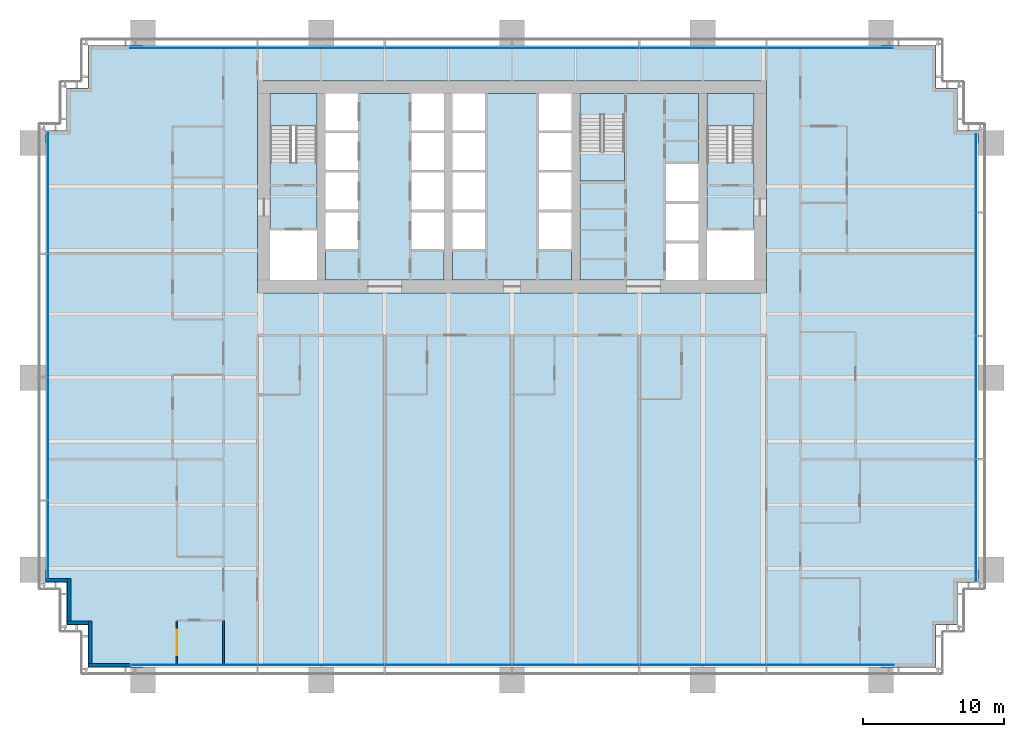
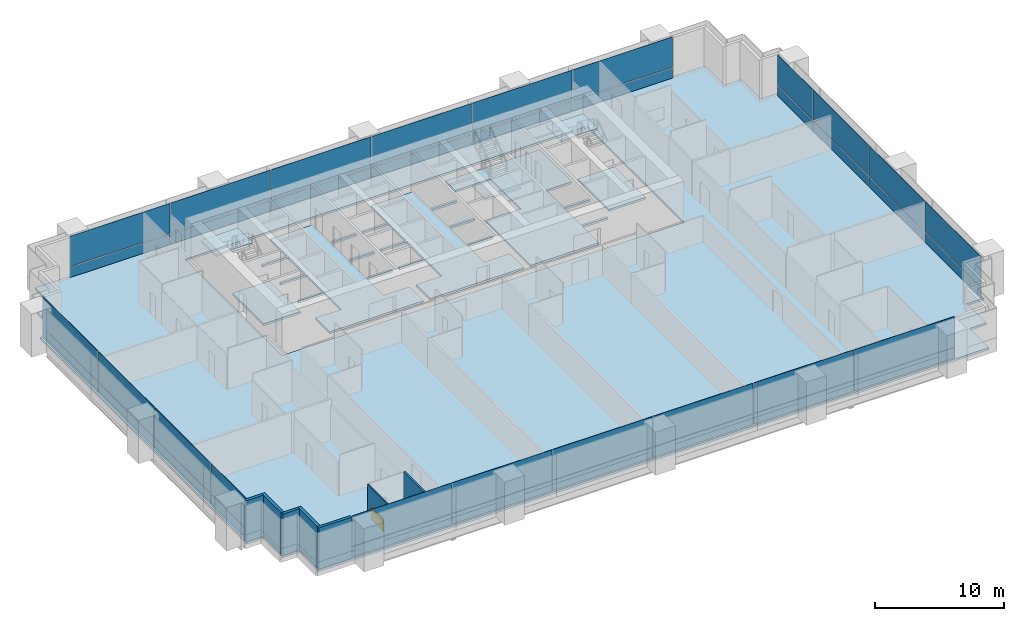
# One storey, part 10 of 19: 40 plates, 9 slabs, 7 walls, 1 window, 1 opening, 7 elements without a shape of their own.
"""IFC4 building model written with IfcOpenShell, lengths in metres."""

import ifcopenshell
import ifcopenshell.guid

model = None  # the IFC model being written
_history = None  # IfcOwnerHistory: only IFC2X3 demands one
_inside = {}  # id of a spatial element -> (the spatial element, [elements in it])
_under = {}  # id of a project, library or spatial element -> (it, [spatial elements below it])
_declared = {}  # id of a project -> (the project, [libraries it declares])
_typed = {}  # id of a type object -> (the type object, [elements of that type])
_made_of = {}  # id of a material, layer set ... -> (it, [elements and type objects made of it])


def new_model(schema):
    """Start an empty IFC model of exactly this schema.

    Asked for "IFC4X3", IfcOpenShell would pick the latest addendum, in which some entities
    have other attributes; the version numbers below select the first issue.
    IFC2X3 requires an IfcOwnerHistory on every rooted entity: one is made here for all.
    """
    global model, _history
    if schema == "IFC4X3":
        model = ifcopenshell.file(schema_version=(4, 3, 0, 0))
    else:
        model = ifcopenshell.file(schema=schema)
    _inside.clear()
    _under.clear()
    _declared.clear()
    _typed.clear()
    _made_of.clear()
    _history = None
    if model.schema == "IFC2X3":
        org = make("IfcOrganization", Name="unknown")
        user = make(
            "IfcPersonAndOrganization",
            ThePerson=make("IfcPerson", FamilyName="unknown"),
            TheOrganization=org,
        )
        app = make(
            "IfcApplication",
            ApplicationDeveloper=org,
            Version="unknown",
            ApplicationFullName="unknown",
            ApplicationIdentifier="unknown",
        )
        _history = make(
            "IfcOwnerHistory",
            OwningUser=user,
            OwningApplication=app,
            ChangeAction="ADDED",
            CreationDate=0,
        )
    return model


def make(cls, **values):
    """One entity of the class cls with the attributes given. An attribute that is None is left unset."""
    return model.create_entity(
        cls, **{name: value for name, value in values.items() if value is not None}
    )


def rooted(cls, **values):
    """An entity with a GlobalId (a new one), such as an element, a storey or a relation."""
    return make(cls, GlobalId=ifcopenshell.guid.new(), OwnerHistory=_history, **values)


def si_unit(unit_type, name, prefix=None):
    """IfcSIUnit, for example si_unit("LENGTHUNIT", "METRE", prefix="MILLI")."""
    return make("IfcSIUnit", UnitType=unit_type, Prefix=prefix, Name=name)


def assignment(units):
    """IfcUnitAssignment: the units of a project."""
    return None if units is None else make("IfcUnitAssignment", Units=units)


def point(xyz):
    """IfcCartesianPoint."""
    return None if xyz is None else make("IfcCartesianPoint", Coordinates=xyz)


def direction(xyz):
    """IfcDirection."""
    return None if xyz is None else make("IfcDirection", DirectionRatios=xyz)


def frame(location, z_axis=None, x_axis=None):
    """IfcAxis2Placement3D, a coordinate frame: its origin and axes. An axis left out is left unset."""
    return make(
        "IfcAxis2Placement3D",
        Location=point(location),
        Axis=direction(z_axis),
        RefDirection=direction(x_axis),
    )


def frame_2d(location, x_axis=None):
    """IfcAxis2Placement2D, a coordinate frame in the plane: its origin and x axis."""
    return make(
        "IfcAxis2Placement2D", Location=point(location), RefDirection=direction(x_axis)
    )


def origin():
    """The frame at (0, 0, 0) with its axes left unset."""
    return frame((0.0, 0.0, 0.0))


def origin_2d():
    """The frame at (0, 0) in the plane with its x axis left unset."""
    return frame_2d((0.0, 0.0))


def place(relative_to, where):
    """IfcLocalPlacement: puts the frame where relative to a parent placement (None: the world)."""
    return make(
        "IfcLocalPlacement", PlacementRelTo=relative_to, RelativePlacement=where
    )


def context(
    kind, dimensions, precision=None, world=None, true_north=None, identifier=None
):
    """IfcGeometricRepresentationContext, for example the 3D "Model" context."""
    return make(
        "IfcGeometricRepresentationContext",
        ContextIdentifier=identifier,
        ContextType=kind,
        CoordinateSpaceDimension=dimensions,
        Precision=precision,
        WorldCoordinateSystem=world,
        TrueNorth=true_north,
    )


def subcontext(parent, identifier, kind, view, scale=None):
    """IfcGeometricRepresentationSubContext, for example "Body" below "Model"."""
    return make(
        "IfcGeometricRepresentationSubContext",
        ContextIdentifier=identifier,
        ContextType=kind,
        ParentContext=parent,
        TargetScale=scale,
        TargetView=view,
    )


def project(units=None, contexts=None):
    """IfcProject with its units and contexts."""
    return rooted(
        "IfcProject",
        Name="project",
        RepresentationContexts=contexts,
        UnitsInContext=assignment(units),
    )


def spatial(cls, under=None, at=None, **own):
    """A site, building, storey or space (cls), placed at a placement, below another one or the project."""
    s = rooted(cls, ObjectPlacement=at, **own)
    if under is not None:
        _under.setdefault(under.id(), (under, []))[1].append(s)
    return s


def polyline(points):
    """IfcPolyline through the points."""
    return make("IfcPolyline", Points=[point(p) for p in points])


def profile(cls, at=None, kind="AREA", **sizes):
    """A parametric profile (cls). Its sizes go by their IFC names, for example OverallWidth=200.0."""
    return make(cls, ProfileType=kind, Position=at, **sizes)


def rectangle(**sizes):
    """IfcRectangleProfileDef."""
    return profile("IfcRectangleProfileDef", **sizes)


def outline(outer, holes=None, kind="AREA"):
    """IfcArbitraryClosedProfileDef: a profile drawn as a closed curve; with holes, ...WithVoids."""
    if holes is None:
        return make("IfcArbitraryClosedProfileDef", ProfileType=kind, OuterCurve=outer)
    return make(
        "IfcArbitraryProfileDefWithVoids",
        ProfileType=kind,
        OuterCurve=outer,
        InnerCurves=holes,
    )


def extrude(swept, where, along, depth):
    """IfcExtrudedAreaSolid: the profile swept, set in the frame where, extruded along a direction by depth."""
    return make(
        "IfcExtrudedAreaSolid",
        SweptArea=swept,
        Position=where,
        ExtrudedDirection=direction(along),
        Depth=depth,
    )


def shape(context_of_items, identifier, shape_type, items):
    """IfcShapeRepresentation: the items that make up one representation, for example the "Body"."""
    return make(
        "IfcShapeRepresentation",
        ContextOfItems=context_of_items,
        RepresentationIdentifier=identifier,
        RepresentationType=shape_type,
        Items=items,
    )


def material(Name=None, Category=None):
    """IfcMaterial."""
    return make("IfcMaterial", Name=Name, Category=Category)


def layer(
    of_material, thickness, ventilated=None, Name=None, Category=None, Priority=None
):
    """IfcMaterialLayer: one layer of a wall or slab, of a material (None: an air gap)."""
    return make(
        "IfcMaterialLayer",
        Material=of_material,
        LayerThickness=thickness,
        IsVentilated=ventilated,
        Name=Name,
        Category=Category,
        Priority=Priority,
    )


def layer_set(layers, Name=None):
    """IfcMaterialLayerSet."""
    return make("IfcMaterialLayerSet", MaterialLayers=layers, LayerSetName=Name)


def made_of(thing, what):
    """Note that an element or type object is made of a material, layer set ...; save() writes the relation."""
    if what is not None:
        _made_of.setdefault(what.id(), (what, []))[1].append(thing)
    return thing


def type_object(cls, material=None, **own):
    """A type object (cls), such as IfcWallType, which elements share."""
    return made_of(rooted(cls, **own), material)


def element(
    cls,
    number,
    at=None,
    inside=None,
    cuts=None,
    type_object=None,
    material=None,
    context=None,
    identifier="Body",
    shape_type=None,
    held_by="IfcProductDefinitionShape",
    body=None,
    shapes=None,
    **own,
):
    """One element of the class cls, such as IfcWall. Its Tag is "e" and its number.

    at: its placement. inside: the storey or other place that contains it. cuts: it is an
    opening in that element (IfcRelVoidsElement). A single representation is given by context,
    identifier, shape_type and body (its items); several are given by shapes. held_by: the class
    of the entity that holds the representations. save() writes the other relations.
    """
    e = rooted(cls, Tag="e%d" % number, ObjectPlacement=at, **own)
    if body is not None:
        shapes = [shape(context, identifier, shape_type, body)]
    if shapes is not None:
        e.Representation = make(held_by, Representations=shapes)
    if inside is not None:
        _inside.setdefault(inside.id(), (inside, []))[1].append(e)
    if cuts is not None:
        rooted(
            "IfcRelVoidsElement", RelatingBuildingElement=cuts, RelatedOpeningElement=e
        )
    if type_object is not None:
        _typed.setdefault(type_object.id(), (type_object, []))[1].append(e)
    return made_of(e, material)


def fill(opening, filler):
    """IfcRelFillsElement: the door or window that sits in an opening."""
    return rooted(
        "IfcRelFillsElement",
        RelatingOpeningElement=opening,
        RelatedBuildingElement=filler,
    )


def aggregate(whole, parts):
    """IfcRelAggregates: a whole, such as a stair, and the parts it consists of."""
    return rooted("IfcRelAggregates", RelatingObject=whole, RelatedObjects=parts)


def save(model, path):
    """Write the relations noted so far, then the file.

    IfcRelAggregates (storeys below a building ...), IfcRelContainedInSpatialStructure (elements
    in a storey), IfcRelDefinesByType, IfcRelAssociatesMaterial and IfcRelDeclares: one each for
    every whole, place, type object, material and project.
    """
    for whole, parts in _under.values():
        aggregate(whole, parts)
    for where, things in _inside.values():
        rooted(
            "IfcRelContainedInSpatialStructure",
            RelatedElements=things,
            RelatingStructure=where,
        )
    for kind, things in _typed.values():
        rooted("IfcRelDefinesByType", RelatedObjects=things, RelatingType=kind)
    for what, things in _made_of.values():
        rooted("IfcRelAssociatesMaterial", RelatedObjects=things, RelatingMaterial=what)
    for by, libraries in _declared.values():
        rooted("IfcRelDeclares", RelatingContext=by, RelatedDefinitions=libraries)
    model.write(path)


model = new_model("IFC4")

# Units and contexts
model_context = context("Model", 3, precision=1e-05, world=origin(), true_north=direction((0.0, 1.0)))
body_context = subcontext(model_context, "Body", "Model", "MODEL_VIEW")
ifc_project = project(units=[si_unit("LENGTHUNIT", "METRE"), si_unit("AREAUNIT", "SQUARE_METRE"), si_unit("VOLUMEUNIT", "CUBIC_METRE"), si_unit("PLANEANGLEUNIT", "RADIAN"), si_unit("MASSUNIT", "GRAM", prefix="KILO")], contexts=[model_context])

# Site, building, storey
site_placement = place(None, origin())
site = spatial("IfcSite", under=ifc_project, at=site_placement, CompositionType="ELEMENT")
building_placement = place(site_placement, origin())
building = spatial("IfcBuilding", under=site, at=building_placement, Name="Rattan Terrace Tower", CompositionType="ELEMENT")
storey_placement = place(building_placement, frame((0.0, 0.0, 65.199951171875)))
storey = spatial("IfcBuildingStorey", under=building, at=storey_placement, Name="L14", CompositionType="ELEMENT", Elevation=65.199951171875)

# Stair, slab
ifc_material_1 = material(Name="Concrete C40/50", Category="concrete")
stair_type = type_object("IfcStairType", Name="Core exit stair 1500", PredefinedType="HALF_TURN_STAIR", material=ifc_material_1)
stair_1_placement = place(storey_placement, origin())
stair_1 = element("IfcStair", 1, at=stair_1_placement, inside=storey, type_object=stair_type, Name="L14 exit stair 1", PredefinedType="HALF_TURN_STAIR")
ifc_material_2 = material(Name="Concrete C40/50", Category="concrete")
ifc_layer_1 = layer(ifc_material_2, 0.199951171875)
ifc_layer_set_1 = layer_set([ifc_layer_1], Name="Core exit stair landing")
slab_type_1 = type_object("IfcSlabType", Name="Core exit stair landing", PredefinedType="LANDING", material=ifc_layer_set_1)
slab_1_placement = place(storey_placement, frame((0.0, 0.0, 1.85009765625)))
slab_1 = element("IfcSlab", 2, at=slab_1_placement, type_object=slab_type_1, Name="S1 landing 1", PredefinedType="LANDING", context=body_context, shape_type="SweptSolid", body=[
    extrude(outline(polyline([(-13.800048828125, 4.300048828125), (-13.800048828125, 6.60009765625), (-17.10009765625, 6.60009765625), (-17.10009765625, 4.300048828125), (-13.800048828125, 4.300048828125)])), origin(), (0.0, 0.0, 1.0), 0.199951171875),
])
aggregate(stair_1, [slab_1])

stair_2_placement = place(storey_placement, origin())
stair_2 = element("IfcStair", 3, at=stair_2_placement, inside=storey, type_object=stair_type, Name="L14 exit stair 2", PredefinedType="HALF_TURN_STAIR")
slab_2_placement = place(storey_placement, frame((0.0, 0.0, 1.85009765625)))
slab_2 = element("IfcSlab", 4, at=slab_2_placement, type_object=slab_type_1, Name="S2 landing 1", PredefinedType="LANDING", context=body_context, shape_type="SweptSolid", body=[
    extrude(outline(polyline([(17.10009765625, 4.300048828125), (17.10009765625, 6.60009765625), (13.800048828125, 6.60009765625), (13.800048828125, 4.300048828125), (17.10009765625, 4.300048828125)])), origin(), (0.0, 0.0, 1.0), 0.199951171875),
])
aggregate(stair_2, [slab_2])

stair_3_placement = place(storey_placement, origin())
stair_3 = element("IfcStair", 5, at=stair_3_placement, inside=storey, type_object=stair_type, Name="L14 exit stair 3", PredefinedType="HALF_TURN_STAIR")
slab_3_placement = place(storey_placement, frame((0.0, 0.0, 1.85009765625)))
slab_3 = element("IfcSlab", 6, at=slab_3_placement, type_object=slab_type_1, Name="S3 landing 1", PredefinedType="LANDING", context=body_context, shape_type="SweptSolid", body=[
    extrude(outline(polyline([(4.800048828125, 2.5), (4.800048828125, 0.39990234375), (7.949951171875, 0.39990234375), (7.949951171875, 2.5), (4.800048828125, 2.5)])), origin(), (0.0, 0.0, 1.0), 0.199951171875),
])
aggregate(stair_3, [slab_3])

# Curtain wall, plates
ifc_material_3 = material(Name="Aluminium and glass", Category="aluminium")
curtain_wall_type = type_object("IfcCurtainWallType", Name="Facade Unitised Curtain Wall", PredefinedType="NOTDEFINED", material=ifc_material_3)
curtain_wall_1_placement = place(storey_placement, origin())
curtain_wall_1 = element("IfcCurtainWall", 7, at=curtain_wall_1_placement, inside=storey, type_object=curtain_wall_type, Name="Curtain wall L14-1", PredefinedType="NOTDEFINED")
ifc_material_4 = material(Name="Aluminium insulated spandrel panel", Category="aluminium")
ifc_layer_2 = layer(ifc_material_4, 0.028076171875)
ifc_layer_set_2 = layer_set([ifc_layer_2], Name="Facade CW Spandrel Panel")
plate_type_1 = type_object("IfcPlateType", Name="Facade CW Spandrel Panel", PredefinedType="CURTAIN_PANEL", material=ifc_layer_set_2)
plate_1_placement = place(storey_placement, frame((32.830078125, -23.59912109375, 0.0), z_axis=(0.0, 0.0, 1.0), x_axis=(0.0, 1.0, 0.0)))
plate_1 = element("IfcPlate", 8, at=plate_1_placement, type_object=plate_type_1, Name="Panel cwl-L14-001.1.1", PredefinedType="CURTAIN_PANEL", context=body_context, shape_type="SweptSolid", body=[
    extrude(rectangle(XDim=8.592041015625, YDim=0.028076171875, at=origin_2d()), origin(), (0.0, 0.0, 1.0), 0.969970703125),
])
plate_2_placement = place(storey_placement, frame((32.830078125, -14.909423828125, 0.0), z_axis=(0.0, 0.0, 1.0), x_axis=(0.0, 1.0, 0.0)))
plate_2 = element("IfcPlate", 9, at=plate_2_placement, type_object=plate_type_1, Name="Panel cwl-L14-001.2.1", PredefinedType="CURTAIN_PANEL", context=body_context, shape_type="SweptSolid", body=[
    extrude(rectangle(XDim=8.6669921875, YDim=0.028076171875, at=origin_2d()), origin(), (0.0, 0.0, 1.0), 0.969970703125),
])
plate_3_placement = place(storey_placement, frame((32.830078125, -6.1826171875, 0.0), z_axis=(0.0, 0.0, 1.0), x_axis=(0.0, 1.0, 0.0)))
plate_3 = element("IfcPlate", 10, at=plate_3_placement, type_object=plate_type_1, Name="Panel cwl-L14-001.3.1", PredefinedType="CURTAIN_PANEL", context=body_context, shape_type="SweptSolid", body=[
    extrude(rectangle(XDim=8.6669921875, YDim=0.028076171875, at=origin_2d()), origin(), (0.0, 0.0, 1.0), 0.969970703125),
])
plate_4_placement = place(storey_placement, frame((32.830078125, 0.9580078125, 0.0), z_axis=(0.0, 0.0, 1.0), x_axis=(0.0, 1.0, 0.0)))
plate_4 = element("IfcPlate", 11, at=plate_4_placement, type_object=plate_type_1, Name="Panel cwl-L14-001.4.1", PredefinedType="CURTAIN_PANEL", context=body_context, shape_type="SweptSolid", body=[
    extrude(rectangle(XDim=5.493896484375, YDim=0.028076171875, at=origin_2d()), origin(), (0.0, 0.0, 1.0), 0.969970703125),
])

curtain_wall_2_placement = place(storey_placement, origin())
curtain_wall_2 = element("IfcCurtainWall", 12, at=curtain_wall_2_placement, inside=storey, type_object=curtain_wall_type, Name="Curtain wall L14-2", PredefinedType="NOTDEFINED")
plate_5_placement = place(storey_placement, frame((22.485107421875, 9.830078125, 0.0), z_axis=(0.0, 0.0, 1.0), x_axis=(-1.0, 0.0, 0.0)))
plate_5 = element("IfcPlate", 13, at=plate_5_placement, type_object=plate_type_1, Name="Panel cwl-L14-002.1.1", PredefinedType="CURTAIN_PANEL", context=body_context, shape_type="SweptSolid", body=[
    extrude(rectangle(XDim=8.909912109375, YDim=0.028076171875, at=origin_2d()), origin(), (0.0, 0.0, 1.0), 0.969970703125),
])
plate_6_placement = place(storey_placement, frame((13.5, 9.830078125, 0.0), z_axis=(0.0, 0.0, 1.0), x_axis=(-1.0, 0.0, 0.0)))
plate_6 = element("IfcPlate", 14, at=plate_6_placement, type_object=plate_type_1, Name="Panel cwl-L14-002.2.1", PredefinedType="CURTAIN_PANEL", context=body_context, shape_type="SweptSolid", body=[
    extrude(rectangle(XDim=8.93994140625, YDim=0.028076171875, at=origin_2d()), origin(), (0.0, 0.0, 1.0), 0.969970703125),
])
plate_7_placement = place(storey_placement, frame((4.5, 9.830078125, 0.0), z_axis=(0.0, 0.0, 1.0), x_axis=(-1.0, 0.0, 0.0)))
plate_7 = element("IfcPlate", 15, at=plate_7_placement, type_object=plate_type_1, Name="Panel cwl-L14-002.3.1", PredefinedType="CURTAIN_PANEL", context=body_context, shape_type="SweptSolid", body=[
    extrude(rectangle(XDim=8.93994140625, YDim=0.028076171875, at=origin_2d()), origin(), (0.0, 0.0, 1.0), 0.969970703125),
])
plate_8_placement = place(storey_placement, frame((-4.5, 9.830078125, 0.0), z_axis=(0.0, 0.0, 1.0), x_axis=(-1.0, 0.0, 0.0)))
plate_8 = element("IfcPlate", 16, at=plate_8_placement, type_object=plate_type_1, Name="Panel cwl-L14-002.4.1", PredefinedType="CURTAIN_PANEL", context=body_context, shape_type="SweptSolid", body=[
    extrude(rectangle(XDim=8.93994140625, YDim=0.028076171875, at=origin_2d()), origin(), (0.0, 0.0, 1.0), 0.969970703125),
])
plate_9_placement = place(storey_placement, frame((-13.5, 9.830078125, 0.0), z_axis=(0.0, 0.0, 1.0), x_axis=(-1.0, 0.0, 0.0)))
plate_9 = element("IfcPlate", 17, at=plate_9_placement, type_object=plate_type_1, Name="Panel cwl-L14-002.5.1", PredefinedType="CURTAIN_PANEL", context=body_context, shape_type="SweptSolid", body=[
    extrude(rectangle(XDim=8.93994140625, YDim=0.028076171875, at=origin_2d()), origin(), (0.0, 0.0, 1.0), 0.969970703125),
])
plate_10_placement = place(storey_placement, frame((-22.514892578125, 9.830078125, 0.0), z_axis=(0.0, 0.0, 1.0), x_axis=(-1.0, 0.0, 0.0)))
plate_10 = element("IfcPlate", 18, at=plate_10_placement, type_object=plate_type_1, Name="Panel cwl-L14-002.6.1", PredefinedType="CURTAIN_PANEL", context=body_context, shape_type="SweptSolid", body=[
    extrude(rectangle(XDim=8.969970703125, YDim=0.028076171875, at=origin_2d()), origin(), (0.0, 0.0, 1.0), 0.969970703125),
])

curtain_wall_3_placement = place(storey_placement, origin())
curtain_wall_3 = element("IfcCurtainWall", 19, at=curtain_wall_3_placement, inside=storey, type_object=curtain_wall_type, Name="Curtain wall L14-3", PredefinedType="NOTDEFINED")
plate_11_placement = place(storey_placement, frame((-32.830078125, -0.40087890625, 0.0), z_axis=(0.0, 0.0, 1.0), x_axis=(0.0, -1.0, 0.0)))
plate_11 = element("IfcPlate", 20, at=plate_11_placement, type_object=plate_type_1, Name="Panel cwl-L14-003.1.1", PredefinedType="CURTAIN_PANEL", context=body_context, shape_type="SweptSolid", body=[
    extrude(rectangle(XDim=8.592041015625, YDim=0.028076171875, at=origin_2d()), origin(), (0.0, 0.0, 1.0), 0.969970703125),
])
plate_12_placement = place(storey_placement, frame((-32.830078125, -9.090576171875, 0.0), z_axis=(0.0, 0.0, 1.0), x_axis=(0.0, -1.0, 0.0)))
plate_12 = element("IfcPlate", 21, at=plate_12_placement, type_object=plate_type_1, Name="Panel cwl-L14-003.2.1", PredefinedType="CURTAIN_PANEL", context=body_context, shape_type="SweptSolid", body=[
    extrude(rectangle(XDim=8.6669921875, YDim=0.028076171875, at=origin_2d()), origin(), (0.0, 0.0, 1.0), 0.969970703125),
])
plate_13_placement = place(storey_placement, frame((-32.830078125, -17.8173828125, 0.0), z_axis=(0.0, 0.0, 1.0), x_axis=(0.0, -1.0, 0.0)))
plate_13 = element("IfcPlate", 22, at=plate_13_placement, type_object=plate_type_1, Name="Panel cwl-L14-003.3.1", PredefinedType="CURTAIN_PANEL", context=body_context, shape_type="SweptSolid", body=[
    extrude(rectangle(XDim=8.6669921875, YDim=0.028076171875, at=origin_2d()), origin(), (0.0, 0.0, 1.0), 0.969970703125),
])
plate_14_placement = place(storey_placement, frame((-32.830078125, -24.9580078125, 0.0), z_axis=(0.0, 0.0, 1.0), x_axis=(0.0, -1.0, 0.0)))
plate_14 = element("IfcPlate", 23, at=plate_14_placement, type_object=plate_type_1, Name="Panel cwl-L14-003.4.1", PredefinedType="CURTAIN_PANEL", context=body_context, shape_type="SweptSolid", body=[
    extrude(rectangle(XDim=5.493896484375, YDim=0.028076171875, at=origin_2d()), origin(), (0.0, 0.0, 1.0), 0.969970703125),
])

curtain_wall_4_placement = place(storey_placement, origin())
curtain_wall_4 = element("IfcCurtainWall", 24, at=curtain_wall_4_placement, inside=storey, type_object=curtain_wall_type, Name="Curtain wall L14-4", PredefinedType="NOTDEFINED")
plate_15_placement = place(storey_placement, frame((-22.485107421875, -33.830078125, 0.0), z_axis=(0.0, 0.0, 1.0), x_axis=(1.0, 0.0, 0.0)))
plate_15 = element("IfcPlate", 25, at=plate_15_placement, type_object=plate_type_1, Name="Panel cwl-L14-004.1.1", PredefinedType="CURTAIN_PANEL", context=body_context, shape_type="SweptSolid", body=[
    extrude(rectangle(XDim=8.909912109375, YDim=0.028076171875, at=origin_2d()), origin(), (0.0, 0.0, 1.0), 0.969970703125),
])
plate_16_placement = place(storey_placement, frame((-13.5, -33.830078125, 0.0), z_axis=(0.0, 0.0, 1.0), x_axis=(1.0, 0.0, 0.0)))
plate_16 = element("IfcPlate", 26, at=plate_16_placement, type_object=plate_type_1, Name="Panel cwl-L14-004.2.1", PredefinedType="CURTAIN_PANEL", context=body_context, shape_type="SweptSolid", body=[
    extrude(rectangle(XDim=8.93994140625, YDim=0.028076171875, at=origin_2d()), origin(), (0.0, 0.0, 1.0), 0.969970703125),
])
plate_17_placement = place(storey_placement, frame((-4.5, -33.830078125, 0.0), z_axis=(0.0, 0.0, 1.0), x_axis=(1.0, 0.0, 0.0)))
plate_17 = element("IfcPlate", 27, at=plate_17_placement, type_object=plate_type_1, Name="Panel cwl-L14-004.3.1", PredefinedType="CURTAIN_PANEL", context=body_context, shape_type="SweptSolid", body=[
    extrude(rectangle(XDim=8.93994140625, YDim=0.028076171875, at=origin_2d()), origin(), (0.0, 0.0, 1.0), 0.969970703125),
])
plate_18_placement = place(storey_placement, frame((4.5, -33.830078125, 0.0), z_axis=(0.0, 0.0, 1.0), x_axis=(1.0, 0.0, 0.0)))
plate_18 = element("IfcPlate", 28, at=plate_18_placement, type_object=plate_type_1, Name="Panel cwl-L14-004.4.1", PredefinedType="CURTAIN_PANEL", context=body_context, shape_type="SweptSolid", body=[
    extrude(rectangle(XDim=8.93994140625, YDim=0.028076171875, at=origin_2d()), origin(), (0.0, 0.0, 1.0), 0.969970703125),
])
plate_19_placement = place(storey_placement, frame((13.5, -33.830078125, 0.0), z_axis=(0.0, 0.0, 1.0), x_axis=(1.0, 0.0, 0.0)))
plate_19 = element("IfcPlate", 29, at=plate_19_placement, type_object=plate_type_1, Name="Panel cwl-L14-004.5.1", PredefinedType="CURTAIN_PANEL", context=body_context, shape_type="SweptSolid", body=[
    extrude(rectangle(XDim=8.93994140625, YDim=0.028076171875, at=origin_2d()), origin(), (0.0, 0.0, 1.0), 0.969970703125),
])
plate_20_placement = place(storey_placement, frame((22.514892578125, -33.830078125, 0.0), z_axis=(0.0, 0.0, 1.0), x_axis=(1.0, 0.0, 0.0)))
plate_20 = element("IfcPlate", 30, at=plate_20_placement, type_object=plate_type_1, Name="Panel cwl-L14-004.6.1", PredefinedType="CURTAIN_PANEL", context=body_context, shape_type="SweptSolid", body=[
    extrude(rectangle(XDim=8.969970703125, YDim=0.028076171875, at=origin_2d()), origin(), (0.0, 0.0, 1.0), 0.969970703125),
])

# Plate
ifc_material_5 = material(Name="Clear low-iron glass", Category="glass")
ifc_layer_3 = layer(ifc_material_5, 0.028076171875)
ifc_layer_set_3 = layer_set([ifc_layer_3], Name="Facade CW Vision Panel")
plate_type_2 = type_object("IfcPlateType", Name="Facade CW Vision Panel", PredefinedType="CURTAIN_PANEL", material=ifc_layer_set_3)
plate_21_placement = place(storey_placement, frame((32.830078125, -23.59912109375, 1.030029296875), z_axis=(0.0, 0.0, 1.0), x_axis=(0.0, 1.0, 0.0)))
plate_21 = element("IfcPlate", 31, at=plate_21_placement, type_object=plate_type_2, Name="Panel cwl-L14-001.1.2", PredefinedType="CURTAIN_PANEL", context=body_context, shape_type="SweptSolid", body=[
    extrude(rectangle(XDim=8.592041015625, YDim=0.028076171875, at=origin_2d()), origin(), (0.0, 0.0, 1.0), 2.8701171875),
])

plate_22_placement = place(storey_placement, frame((32.830078125, -14.909423828125, 1.030029296875), z_axis=(0.0, 0.0, 1.0), x_axis=(0.0, 1.0, 0.0)))
plate_22 = element("IfcPlate", 32, at=plate_22_placement, type_object=plate_type_2, Name="Panel cwl-L14-001.2.2", PredefinedType="CURTAIN_PANEL", context=body_context, shape_type="SweptSolid", body=[
    extrude(rectangle(XDim=8.6669921875, YDim=0.028076171875, at=origin_2d()), origin(), (0.0, 0.0, 1.0), 2.8701171875),
])

plate_23_placement = place(storey_placement, frame((32.830078125, -6.1826171875, 1.030029296875), z_axis=(0.0, 0.0, 1.0), x_axis=(0.0, 1.0, 0.0)))
plate_23 = element("IfcPlate", 33, at=plate_23_placement, type_object=plate_type_2, Name="Panel cwl-L14-001.3.2", PredefinedType="CURTAIN_PANEL", context=body_context, shape_type="SweptSolid", body=[
    extrude(rectangle(XDim=8.6669921875, YDim=0.028076171875, at=origin_2d()), origin(), (0.0, 0.0, 1.0), 2.8701171875),
])

plate_24_placement = place(storey_placement, frame((32.830078125, 0.9580078125, 1.030029296875), z_axis=(0.0, 0.0, 1.0), x_axis=(0.0, 1.0, 0.0)))
plate_24 = element("IfcPlate", 34, at=plate_24_placement, type_object=plate_type_2, Name="Panel cwl-L14-001.4.2", PredefinedType="CURTAIN_PANEL", context=body_context, shape_type="SweptSolid", body=[
    extrude(rectangle(XDim=5.493896484375, YDim=0.028076171875, at=origin_2d()), origin(), (0.0, 0.0, 1.0), 2.8701171875),
])

aggregate(curtain_wall_1, [plate_1, plate_21, plate_2, plate_22, plate_3, plate_23, plate_4, plate_24])

plate_25_placement = place(storey_placement, frame((22.485107421875, 9.830078125, 1.030029296875), z_axis=(0.0, 0.0, 1.0), x_axis=(-1.0, 0.0, 0.0)))
plate_25 = element("IfcPlate", 35, at=plate_25_placement, type_object=plate_type_2, Name="Panel cwl-L14-002.1.2", PredefinedType="CURTAIN_PANEL", context=body_context, shape_type="SweptSolid", body=[
    extrude(rectangle(XDim=8.909912109375, YDim=0.028076171875, at=origin_2d()), origin(), (0.0, 0.0, 1.0), 2.8701171875),
])

plate_26_placement = place(storey_placement, frame((13.5, 9.830078125, 1.030029296875), z_axis=(0.0, 0.0, 1.0), x_axis=(-1.0, 0.0, 0.0)))
plate_26 = element("IfcPlate", 36, at=plate_26_placement, type_object=plate_type_2, Name="Panel cwl-L14-002.2.2", PredefinedType="CURTAIN_PANEL", context=body_context, shape_type="SweptSolid", body=[
    extrude(rectangle(XDim=8.93994140625, YDim=0.028076171875, at=origin_2d()), origin(), (0.0, 0.0, 1.0), 2.8701171875),
])

plate_27_placement = place(storey_placement, frame((4.5, 9.830078125, 1.030029296875), z_axis=(0.0, 0.0, 1.0), x_axis=(-1.0, 0.0, 0.0)))
plate_27 = element("IfcPlate", 37, at=plate_27_placement, type_object=plate_type_2, Name="Panel cwl-L14-002.3.2", PredefinedType="CURTAIN_PANEL", context=body_context, shape_type="SweptSolid", body=[
    extrude(rectangle(XDim=8.93994140625, YDim=0.028076171875, at=origin_2d()), origin(), (0.0, 0.0, 1.0), 2.8701171875),
])

plate_28_placement = place(storey_placement, frame((-4.5, 9.830078125, 1.030029296875), z_axis=(0.0, 0.0, 1.0), x_axis=(-1.0, 0.0, 0.0)))
plate_28 = element("IfcPlate", 38, at=plate_28_placement, type_object=plate_type_2, Name="Panel cwl-L14-002.4.2", PredefinedType="CURTAIN_PANEL", context=body_context, shape_type="SweptSolid", body=[
    extrude(rectangle(XDim=8.93994140625, YDim=0.028076171875, at=origin_2d()), origin(), (0.0, 0.0, 1.0), 2.8701171875),
])

plate_29_placement = place(storey_placement, frame((-13.5, 9.830078125, 1.030029296875), z_axis=(0.0, 0.0, 1.0), x_axis=(-1.0, 0.0, 0.0)))
plate_29 = element("IfcPlate", 39, at=plate_29_placement, type_object=plate_type_2, Name="Panel cwl-L14-002.5.2", PredefinedType="CURTAIN_PANEL", context=body_context, shape_type="SweptSolid", body=[
    extrude(rectangle(XDim=8.93994140625, YDim=0.028076171875, at=origin_2d()), origin(), (0.0, 0.0, 1.0), 2.8701171875),
])

plate_30_placement = place(storey_placement, frame((-22.514892578125, 9.830078125, 1.030029296875), z_axis=(0.0, 0.0, 1.0), x_axis=(-1.0, 0.0, 0.0)))
plate_30 = element("IfcPlate", 40, at=plate_30_placement, type_object=plate_type_2, Name="Panel cwl-L14-002.6.2", PredefinedType="CURTAIN_PANEL", context=body_context, shape_type="SweptSolid", body=[
    extrude(rectangle(XDim=8.969970703125, YDim=0.028076171875, at=origin_2d()), origin(), (0.0, 0.0, 1.0), 2.8701171875),
])

aggregate(curtain_wall_2, [plate_5, plate_25, plate_6, plate_26, plate_7, plate_27, plate_8, plate_28, plate_9, plate_29, plate_10, plate_30])

plate_31_placement = place(storey_placement, frame((-32.830078125, -0.40087890625, 1.030029296875), z_axis=(0.0, 0.0, 1.0), x_axis=(0.0, -1.0, 0.0)))
plate_31 = element("IfcPlate", 41, at=plate_31_placement, type_object=plate_type_2, Name="Panel cwl-L14-003.1.2", PredefinedType="CURTAIN_PANEL", context=body_context, shape_type="SweptSolid", body=[
    extrude(rectangle(XDim=8.592041015625, YDim=0.028076171875, at=origin_2d()), origin(), (0.0, 0.0, 1.0), 2.8701171875),
])

plate_32_placement = place(storey_placement, frame((-32.830078125, -9.090576171875, 1.030029296875), z_axis=(0.0, 0.0, 1.0), x_axis=(0.0, -1.0, 0.0)))
plate_32 = element("IfcPlate", 42, at=plate_32_placement, type_object=plate_type_2, Name="Panel cwl-L14-003.2.2", PredefinedType="CURTAIN_PANEL", context=body_context, shape_type="SweptSolid", body=[
    extrude(rectangle(XDim=8.6669921875, YDim=0.028076171875, at=origin_2d()), origin(), (0.0, 0.0, 1.0), 2.8701171875),
])

plate_33_placement = place(storey_placement, frame((-32.830078125, -17.8173828125, 1.030029296875), z_axis=(0.0, 0.0, 1.0), x_axis=(0.0, -1.0, 0.0)))
plate_33 = element("IfcPlate", 43, at=plate_33_placement, type_object=plate_type_2, Name="Panel cwl-L14-003.3.2", PredefinedType="CURTAIN_PANEL", context=body_context, shape_type="SweptSolid", body=[
    extrude(rectangle(XDim=8.6669921875, YDim=0.028076171875, at=origin_2d()), origin(), (0.0, 0.0, 1.0), 2.8701171875),
])

plate_34_placement = place(storey_placement, frame((-32.830078125, -24.9580078125, 1.030029296875), z_axis=(0.0, 0.0, 1.0), x_axis=(0.0, -1.0, 0.0)))
plate_34 = element("IfcPlate", 44, at=plate_34_placement, type_object=plate_type_2, Name="Panel cwl-L14-003.4.2", PredefinedType="CURTAIN_PANEL", context=body_context, shape_type="SweptSolid", body=[
    extrude(rectangle(XDim=5.493896484375, YDim=0.028076171875, at=origin_2d()), origin(), (0.0, 0.0, 1.0), 2.8701171875),
])

aggregate(curtain_wall_3, [plate_11, plate_31, plate_12, plate_32, plate_13, plate_33, plate_14, plate_34])

plate_35_placement = place(storey_placement, frame((-22.485107421875, -33.830078125, 1.030029296875), z_axis=(0.0, 0.0, 1.0), x_axis=(1.0, 0.0, 0.0)))
plate_35 = element("IfcPlate", 45, at=plate_35_placement, type_object=plate_type_2, Name="Panel cwl-L14-004.1.2", PredefinedType="CURTAIN_PANEL", context=body_context, shape_type="SweptSolid", body=[
    extrude(rectangle(XDim=8.909912109375, YDim=0.028076171875, at=origin_2d()), origin(), (0.0, 0.0, 1.0), 2.8701171875),
])

plate_36_placement = place(storey_placement, frame((-13.5, -33.830078125, 1.030029296875), z_axis=(0.0, 0.0, 1.0), x_axis=(1.0, 0.0, 0.0)))
plate_36 = element("IfcPlate", 46, at=plate_36_placement, type_object=plate_type_2, Name="Panel cwl-L14-004.2.2", PredefinedType="CURTAIN_PANEL", context=body_context, shape_type="SweptSolid", body=[
    extrude(rectangle(XDim=8.93994140625, YDim=0.028076171875, at=origin_2d()), origin(), (0.0, 0.0, 1.0), 2.8701171875),
])

plate_37_placement = place(storey_placement, frame((-4.5, -33.830078125, 1.030029296875), z_axis=(0.0, 0.0, 1.0), x_axis=(1.0, 0.0, 0.0)))
plate_37 = element("IfcPlate", 47, at=plate_37_placement, type_object=plate_type_2, Name="Panel cwl-L14-004.3.2", PredefinedType="CURTAIN_PANEL", context=body_context, shape_type="SweptSolid", body=[
    extrude(rectangle(XDim=8.93994140625, YDim=0.028076171875, at=origin_2d()), origin(), (0.0, 0.0, 1.0), 2.8701171875),
])

plate_38_placement = place(storey_placement, frame((4.5, -33.830078125, 1.030029296875), z_axis=(0.0, 0.0, 1.0), x_axis=(1.0, 0.0, 0.0)))
plate_38 = element("IfcPlate", 48, at=plate_38_placement, type_object=plate_type_2, Name="Panel cwl-L14-004.4.2", PredefinedType="CURTAIN_PANEL", context=body_context, shape_type="SweptSolid", body=[
    extrude(rectangle(XDim=8.93994140625, YDim=0.028076171875, at=origin_2d()), origin(), (0.0, 0.0, 1.0), 2.8701171875),
])

plate_39_placement = place(storey_placement, frame((13.5, -33.830078125, 1.030029296875), z_axis=(0.0, 0.0, 1.0), x_axis=(1.0, 0.0, 0.0)))
plate_39 = element("IfcPlate", 49, at=plate_39_placement, type_object=plate_type_2, Name="Panel cwl-L14-004.5.2", PredefinedType="CURTAIN_PANEL", context=body_context, shape_type="SweptSolid", body=[
    extrude(rectangle(XDim=8.93994140625, YDim=0.028076171875, at=origin_2d()), origin(), (0.0, 0.0, 1.0), 2.8701171875),
])

plate_40_placement = place(storey_placement, frame((22.514892578125, -33.830078125, 1.030029296875), z_axis=(0.0, 0.0, 1.0), x_axis=(1.0, 0.0, 0.0)))
plate_40 = element("IfcPlate", 50, at=plate_40_placement, type_object=plate_type_2, Name="Panel cwl-L14-004.6.2", PredefinedType="CURTAIN_PANEL", context=body_context, shape_type="SweptSolid", body=[
    extrude(rectangle(XDim=8.969970703125, YDim=0.028076171875, at=origin_2d()), origin(), (0.0, 0.0, 1.0), 2.8701171875),
])

aggregate(curtain_wall_4, [plate_15, plate_35, plate_16, plate_36, plate_17, plate_37, plate_18, plate_38, plate_19, plate_39, plate_20, plate_40])

# Slabs
ifc_material_6 = material(Name="Concrete C35/45", Category="concrete")
ifc_layer_4 = layer(ifc_material_6, 0.199951171875)
ifc_layer_set_4 = layer_set([ifc_layer_4], Name="Frame composite floor slab 200")
slab_type_2 = type_object("IfcSlabType", Name="Frame composite floor slab 200", PredefinedType="FLOOR", material=ifc_layer_set_4)
slab_4_placement = place(storey_placement, frame((0.0, 0.0, -0.199951171875)))
element("IfcSlab", 51, at=slab_4_placement, inside=storey, type_object=slab_type_2, Name="Floor slab", PredefinedType="FLOOR", context=body_context, shape_type="SweptSolid", body=[
    extrude(outline(polyline([(-27.0, -34.0), (27.0, -34.0), (30.0, -34.0), (30.0, -31.0), (31.5, -31.0), (31.5, -28.0), (33.0, -28.0), (33.0, 4.0), (31.5, 4.0), (31.5, 7.0), (30.0, 7.0), (30.0, 10.0), (27.0, 10.0), (-27.0, 10.0), (-30.0, 10.0), (-30.0, 7.0), (-31.5, 7.0), (-31.5, 4.0), (-33.0, 4.0), (-33.0, -28.0), (-31.5, -28.0), (-31.5, -31.0), (-30.0, -31.0), (-30.0, -34.0), (-27.0, -34.0)]), holes=[polyline([(-18.0, -6.60009765625), (-18.0, -7.5), (18.0, -7.5), (18.0, -6.60009765625), (18.0, 6.60009765625), (18.0, 7.5), (-18.0, 7.5), (-18.0, 6.60009765625), (-18.0, -6.60009765625)])]), origin(), (0.0, 0.0, 1.0), 0.199951171875),
])
slab_5_placement = place(storey_placement, frame((0.0, 0.0, -0.199951171875)))
element("IfcSlab", 52, at=slab_5_placement, inside=storey, type_object=slab_type_2, Name="Floor slab", PredefinedType="FLOOR", context=body_context, shape_type="SweptSolid", body=[
    extrude(outline(polyline([(-10.89990234375, 6.60009765625), (-10.89990234375, 4.0), (-13.199951171875, 4.0), (-13.199951171875, 3.800048828125), (-10.89990234375, 3.800048828125), (-10.89990234375, 1.199951171875), (-13.199951171875, 1.199951171875), (-13.199951171875, 1.0), (-10.89990234375, 1.0), (-10.89990234375, -1.60009765625), (-13.199951171875, -1.60009765625), (-13.199951171875, -1.800048828125), (-10.89990234375, -1.800048828125), (-10.89990234375, -4.39990234375), (-13.199951171875, -4.39990234375), (-13.199951171875, -6.60009765625), (-4.800048828125, -6.60009765625), (-4.800048828125, -4.39990234375), (-7.10009765625, -4.39990234375), (-7.10009765625, -1.800048828125), (-4.800048828125, -1.800048828125), (-4.800048828125, -1.60009765625), (-7.10009765625, -1.60009765625), (-7.10009765625, 1.0), (-4.800048828125, 1.0), (-4.800048828125, 1.199951171875), (-7.10009765625, 1.199951171875), (-7.10009765625, 3.800048828125), (-4.800048828125, 3.800048828125), (-4.800048828125, 4.0), (-7.10009765625, 4.0), (-7.10009765625, 6.60009765625), (-10.89990234375, 6.60009765625)])), origin(), (0.0, 0.0, 1.0), 0.199951171875),
])
slab_6_placement = place(storey_placement, frame((0.0, 0.0, -0.199951171875)))
element("IfcSlab", 53, at=slab_6_placement, inside=storey, type_object=slab_type_2, Name="Floor slab", PredefinedType="FLOOR", context=body_context, shape_type="SweptSolid", body=[
    extrude(outline(polyline([(-17.10009765625, -3.10009765625), (-13.800048828125, -3.10009765625), (-13.800048828125, 1.7099609375), (-17.10009765625, 1.7099609375), (-17.10009765625, -3.10009765625)])), origin(), (0.0, 0.0, 1.0), 0.199951171875),
])
slab_7_placement = place(storey_placement, frame((0.0, 0.0, -0.199951171875)))
element("IfcSlab", 54, at=slab_7_placement, inside=storey, type_object=slab_type_2, Name="Floor slab", PredefinedType="FLOOR", context=body_context, shape_type="SweptSolid", body=[
    extrude(outline(polyline([(-4.199951171875, 4.0), (-4.199951171875, 3.800048828125), (-1.89990234375, 3.800048828125), (-1.89990234375, 1.199951171875), (-4.199951171875, 1.199951171875), (-4.199951171875, 1.0), (-1.89990234375, 1.0), (-1.89990234375, -1.60009765625), (-4.199951171875, -1.60009765625), (-4.199951171875, -1.800048828125), (-1.89990234375, -1.800048828125), (-1.89990234375, -4.39990234375), (-4.199951171875, -4.39990234375), (-4.199951171875, -6.60009765625), (4.199951171875, -6.60009765625), (4.199951171875, -4.39990234375), (1.89990234375, -4.39990234375), (1.89990234375, -1.800048828125), (4.199951171875, -1.800048828125), (4.199951171875, -1.60009765625), (1.89990234375, -1.60009765625), (1.89990234375, 1.0), (4.199951171875, 1.0), (4.199951171875, 1.199951171875), (1.89990234375, 1.199951171875), (1.89990234375, 3.800048828125), (4.199951171875, 3.800048828125), (4.199951171875, 4.0), (1.89990234375, 4.0), (1.89990234375, 6.60009765625), (-1.89990234375, 6.60009765625), (-1.89990234375, 4.0), (-4.199951171875, 4.0)])), origin(), (0.0, 0.0, 1.0), 0.199951171875),
])
slab_8_placement = place(storey_placement, frame((0.0, 0.0, -0.199951171875)))
element("IfcSlab", 55, at=slab_8_placement, inside=storey, type_object=slab_type_2, Name="Floor slab", PredefinedType="FLOOR", context=body_context, shape_type="SweptSolid", body=[
    extrude(outline(polyline([(4.800048828125, 5.090087890625), (7.949951171875, 5.090087890625), (7.949951171875, 0.39990234375), (4.800048828125, 0.39990234375), (4.800048828125, -6.60009765625), (10.89990234375, -6.60009765625), (10.89990234375, -4.0), (13.199951171875, -4.0), (13.199951171875, -3.800048828125), (10.89990234375, -3.800048828125), (10.89990234375, -1.199951171875), (13.199951171875, -1.199951171875), (13.199951171875, -1.0), (10.89990234375, -1.0), (10.89990234375, 1.60009765625), (13.199951171875, 1.60009765625), (13.199951171875, 6.60009765625), (4.800048828125, 6.60009765625), (4.800048828125, 5.090087890625)])), origin(), (0.0, 0.0, 1.0), 0.199951171875),
])
slab_9_placement = place(storey_placement, frame((0.0, 0.0, -0.199951171875)))
element("IfcSlab", 56, at=slab_9_placement, inside=storey, type_object=slab_type_2, Name="Floor slab", PredefinedType="FLOOR", context=body_context, shape_type="SweptSolid", body=[
    extrude(outline(polyline([(13.800048828125, -3.10009765625), (17.10009765625, -3.10009765625), (17.10009765625, 1.7099609375), (13.800048828125, 1.7099609375), (13.800048828125, -3.10009765625)])), origin(), (0.0, 0.0, 1.0), 0.199951171875),
])

# Walls
ifc_material_7 = material(Name="Insulated aluminium-clad stud wall", Category="aluminium")
ifc_layer_5 = layer(ifc_material_7, 0.25)
ifc_layer_set_5 = layer_set([ifc_layer_5], Name="Facade Riser Wall 250")
wall_type_1 = type_object("IfcWallType", Name="Facade Riser Wall 250", PredefinedType="SOLIDWALL", material=ifc_layer_set_5)
wall_1_placement = place(storey_placement, frame((-33.0048828125, -27.830078125, 0.0), z_axis=(0.0, 0.0, 1.0), x_axis=(1.0, 0.0, 0.0)))
element("IfcWall", 57, at=wall_1_placement, inside=storey, type_object=wall_type_1, Name="Riser wall L14-16", PredefinedType="SOLIDWALL", context=body_context, shape_type="SweptSolid", body=[
    extrude(rectangle(XDim=1.5498046875, YDim=0.25, at=frame_2d((0.77490234375, 0.0))), origin(), (0.0, 0.0, 1.0), 3.900146484375),
])
wall_2_placement = place(storey_placement, frame((-31.330078125, -27.705078125, 0.0), z_axis=(0.0, 0.0, 1.0), x_axis=(0.0, -1.0, 0.0)))
element("IfcWall", 58, at=wall_2_placement, inside=storey, type_object=wall_type_1, Name="Riser wall L14-17", PredefinedType="SOLIDWALL", context=body_context, shape_type="SweptSolid", body=[
    extrude(rectangle(XDim=3.0, YDim=0.25, at=frame_2d((1.5, 0.0))), origin(), (0.0, 0.0, 1.0), 3.900146484375),
])
wall_3_placement = place(storey_placement, frame((-31.455078125, -30.830078125, 0.0), z_axis=(0.0, 0.0, 1.0), x_axis=(1.0, 0.0, 0.0)))
element("IfcWall", 59, at=wall_3_placement, inside=storey, type_object=wall_type_1, Name="Riser wall L14-18", PredefinedType="SOLIDWALL", context=body_context, shape_type="SweptSolid", body=[
    extrude(rectangle(XDim=1.5, YDim=0.25, at=frame_2d((0.75, 0.0))), origin(), (0.0, 0.0, 1.0), 3.900146484375),
])
wall_4_placement = place(storey_placement, frame((-29.830078125, -30.705078125, 0.0), z_axis=(0.0, 0.0, 1.0), x_axis=(0.0, -1.0, 0.0)))
element("IfcWall", 60, at=wall_4_placement, inside=storey, type_object=wall_type_1, Name="Riser wall L14-19", PredefinedType="SOLIDWALL", context=body_context, shape_type="SweptSolid", body=[
    extrude(rectangle(XDim=3.0, YDim=0.25, at=frame_2d((1.5, 0.0))), origin(), (0.0, 0.0, 1.0), 3.900146484375),
])
wall_5_placement = place(storey_placement, frame((-29.955078125, -33.830078125, 0.0), z_axis=(0.0, 0.0, 1.0), x_axis=(1.0, 0.0, 0.0)))
element("IfcWall", 61, at=wall_5_placement, inside=storey, type_object=wall_type_1, Name="Riser wall L14-20", PredefinedType="SOLIDWALL", context=body_context, shape_type="SweptSolid", body=[
    extrude(rectangle(XDim=2.955078125, YDim=0.25, at=frame_2d((1.4775390625, 0.0))), origin(), (0.0, 0.0, 1.0), 3.900146484375),
])

# Wall, opening, window
ifc_material_8 = material(Name="Gypsum board partition on steel studs", Category="steel")
ifc_layer_6 = layer(ifc_material_8, 0.10009765625)
ifc_layer_set_6 = layer_set([ifc_layer_6], Name="Floors Partition 100")
wall_type_2 = type_object("IfcWallType", Name="Floors Partition 100", PredefinedType="PARTITIONING", material=ifc_layer_set_6)
wall_6_placement = place(storey_placement, frame((-23.699951171875, -30.7099609375, 0.0), z_axis=(0.0, 0.0, 1.0), x_axis=(0.0, -1.0, 0.0)))
wall_6 = element("IfcWall", 62, at=wall_6_placement, inside=storey, type_object=wall_type_2, Name="pt-L14-031", PredefinedType="PARTITIONING", context=body_context, shape_type="SweptSolid", body=[
    extrude(rectangle(XDim=3.030029296875, YDim=0.10009765625, at=frame_2d((1.51513671875, 0.0))), origin(), (0.0, 0.0, 1.0), 3.900146484375),
])
opening_placement = place(wall_6_placement, frame((0.614990234375, 0.0, 0.89990234375)))
opening = element("IfcOpeningElement", 63, at=opening_placement, cuts=wall_6, Name="Opening L14-W100", PredefinedType="OPENING", context=body_context, shape_type="SweptSolid", body=[
    extrude(rectangle(XDim=1.800048828125, YDim=1.199951171875, at=frame_2d((0.89990234375, 0.60009765625))), frame((0.0, 0.060546875, 0.0), z_axis=(0.0, -1.0, 0.0), x_axis=(1.0, 0.0, 0.0)), (0.0, 0.0, 1.0), 0.12109375),
])
ifc_material_9 = material(Name="Glass, clear, fixed in aluminium frame", Category="aluminium")
window_type = type_object("IfcWindowType", Name="Interior Vision Window 1800x1200", PartitioningType="SINGLE_PANEL", PredefinedType="WINDOW", material=ifc_material_9)
window_placement = place(opening_placement, origin())
window = element("IfcWindow", 64, at=window_placement, inside=storey, type_object=window_type, Name="w-L14-100", OverallHeight=1.199951171875, OverallWidth=1.800048828125, PartitioningType="SINGLE_PANEL", PredefinedType="WINDOW", context=body_context, shape_type="SweptSolid", body=[
    extrude(rectangle(XDim=1.800048828125, YDim=1.199951171875, at=frame_2d((0.89990234375, 0.60009765625))), frame((0.0, 0.030029296875, 0.0), z_axis=(0.0, -1.0, 0.0), x_axis=(1.0, 0.0, 0.0)), (0.0, 0.0, 1.0), 0.06005859375),
])
fill(opening, window)

# Wall
ifc_material_10 = material(Name="Gypsum board partition on steel studs, fire rated", Category="steel")
ifc_layer_7 = layer(ifc_material_10, 0.14990234375)
ifc_layer_set_7 = layer_set([ifc_layer_7], Name="Floors Tenancy Wall 150")
wall_type_3 = type_object("IfcWallType", Name="Floors Tenancy Wall 150", PredefinedType="PARTITIONING", material=ifc_layer_set_7)
wall_7_placement = place(storey_placement, frame((-20.39990234375, -33.739990234375, 0.0), z_axis=(0.0, 0.0, 1.0), x_axis=(0.0, 1.0, 0.0)))
element("IfcWall", 65, at=wall_7_placement, inside=storey, type_object=wall_type_3, Name="pt-L14-002", PredefinedType="PARTITIONING", context=body_context, shape_type="SweptSolid", body=[
    extrude(rectangle(XDim=3.06005859375, YDim=0.14990234375, at=frame_2d((1.530029296875, 0.0))), origin(), (0.0, 0.0, 1.0), 3.900146484375),
])

save(model, "model.ifc")
